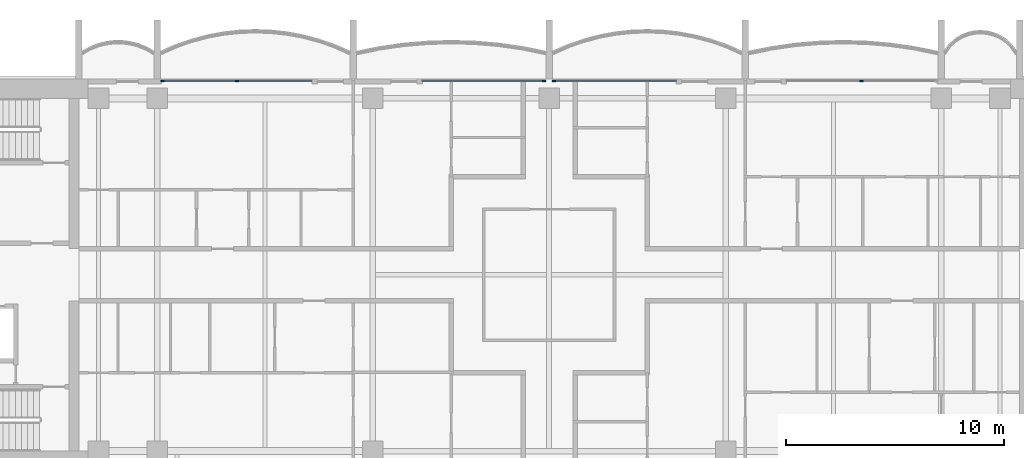
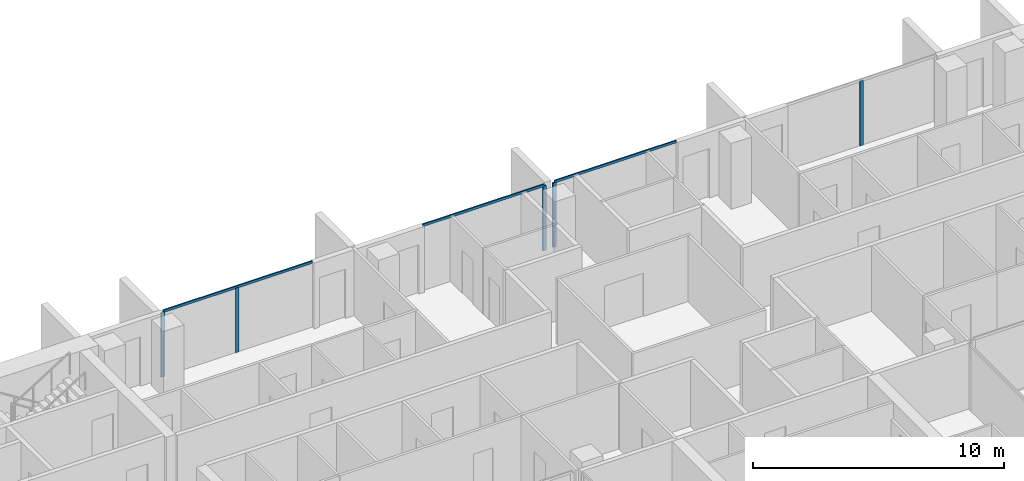
# One storey, part 5 of 18: 8 members, 4 elements without a shape of their own.
"""IFC4 building model written with IfcOpenShell, lengths in metres."""

from ifc_helpers import new_model, si_unit, direction, frame, origin, origin_2d, place, context, subcontext, project, spatial, rectangle, extrude, material, material_profile, profile_set, type_object, element, aggregate, save


model = new_model("IFC4")

# Units and contexts
model_context = context("Model", 3, precision=1e-05, world=origin(), true_north=direction((0.0, 1.0)))
body_context = subcontext(model_context, "Body", "Model", "MODEL_VIEW")
ifc_project = project(units=[si_unit("LENGTHUNIT", "METRE"), si_unit("AREAUNIT", "SQUARE_METRE"), si_unit("VOLUMEUNIT", "CUBIC_METRE"), si_unit("PLANEANGLEUNIT", "RADIAN"), si_unit("MASSUNIT", "GRAM", prefix="KILO")], contexts=[model_context])

# Site, building, storey
site_placement = place(None, origin())
site = spatial("IfcSite", under=ifc_project, at=site_placement, CompositionType="ELEMENT")
building_placement = place(site_placement, origin())
building = spatial("IfcBuilding", under=site, at=building_placement, Name="Perihelion Cross Residences", CompositionType="ELEMENT")
storey_placement = place(building_placement, frame((0.0, 0.0, 219.10009765625)))
storey = spatial("IfcBuildingStorey", under=building, at=storey_placement, Name="L55", CompositionType="ELEMENT", Elevation=219.10009765625)

# Curtain wall, member
ifc_material_1 = material(Name="Bronze anodised aluminium, tinted glazing", Category="aluminium")
curtain_wall_type = type_object("IfcCurtainWallType", Name="CW1", PredefinedType="NOTDEFINED", material=ifc_material_1)
curtain_wall_1_placement = place(storey_placement, origin())
curtain_wall_1 = element("IfcCurtainWall", 1, at=curtain_wall_1_placement, inside=storey, type_object=curtain_wall_type, Name="Curtain wall CW1 L55 east side north bay 2", PredefinedType="NOTDEFINED")
ifc_material_2 = material(Name="Bronze anodised aluminium", Category="aluminium")
ifc_material_profile_1 = material_profile(ifc_material_2, rectangle(XDim=0.06005859375, YDim=0.159912109375, at=origin_2d()), Name="CW1 mullion")
ifc_profile_set_1 = profile_set([ifc_material_profile_1], Name="Bronze anodised aluminium")
member_type_1 = type_object("IfcMemberType", Name="CW1 mullion", PredefinedType="MULLION", material=ifc_profile_set_1)
member_1_placement = place(storey_placement, frame((14.35009765625, 8.89990234375, 0.0), z_axis=(0.0, 0.0, 1.0), x_axis=(0.0, -1.0, 0.0)))
member_1 = element("IfcMember", 2, at=member_1_placement, type_object=member_type_1, Name="CW1 mullion 2", PredefinedType="MULLION", context=body_context, shape_type="SweptSolid", body=[
    extrude(rectangle(XDim=0.06005859375, YDim=0.159912109375, at=origin_2d()), origin(), (0.0, 0.0, 1.0), 3.139892578125),
])
aggregate(curtain_wall_1, [member_1])

curtain_wall_2_placement = place(storey_placement, origin())
curtain_wall_2 = element("IfcCurtainWall", 3, at=curtain_wall_2_placement, inside=storey, type_object=curtain_wall_type, Name="Curtain wall CW1 L55 north side east bay 1", PredefinedType="NOTDEFINED")
member_2_placement = place(storey_placement, frame((0.22998046875, 8.89990234375, 0.0), z_axis=(0.0, 0.0, 1.0), x_axis=(0.0, -1.0, 0.0)))
member_2 = element("IfcMember", 4, at=member_2_placement, type_object=member_type_1, Name="CW1 mullion 2", PredefinedType="MULLION", context=body_context, shape_type="SweptSolid", body=[
    extrude(rectangle(XDim=0.06005859375, YDim=0.159912109375, at=origin_2d()), origin(), (0.0, 0.0, 1.0), 3.139892578125),
])

curtain_wall_3_placement = place(storey_placement, origin())
curtain_wall_3 = element("IfcCurtainWall", 5, at=curtain_wall_3_placement, inside=storey, type_object=curtain_wall_type, Name="Curtain wall CW1 L55 north side east bay 2", PredefinedType="NOTDEFINED")
member_3_placement = place(storey_placement, frame((-0.22998046875, 8.89990234375, 0.0), z_axis=(0.0, 0.0, 1.0), x_axis=(0.0, -1.0, 0.0)))
member_3 = element("IfcMember", 6, at=member_3_placement, type_object=member_type_1, Name="CW1 mullion 1", PredefinedType="MULLION", context=body_context, shape_type="SweptSolid", body=[
    extrude(rectangle(XDim=0.06005859375, YDim=0.159912109375, at=origin_2d()), origin(), (0.0, 0.0, 1.0), 3.139892578125),
])

# Curtain wall, members
curtain_wall_4_placement = place(storey_placement, origin())
curtain_wall_4 = element("IfcCurtainWall", 7, at=curtain_wall_4_placement, inside=storey, type_object=curtain_wall_type, Name="Curtain wall CW1 L55 west side north bay 1", PredefinedType="NOTDEFINED")
member_4_placement = place(storey_placement, frame((-14.35009765625, 8.89990234375, 0.0), z_axis=(0.0, 0.0, 1.0), x_axis=(0.0, -1.0, 0.0)))
member_4 = element("IfcMember", 8, at=member_4_placement, type_object=member_type_1, Name="CW1 mullion 2", PredefinedType="MULLION", context=body_context, shape_type="SweptSolid", body=[
    extrude(rectangle(XDim=0.06005859375, YDim=0.159912109375, at=origin_2d()), origin(), (0.0, 0.0, 1.0), 3.139892578125),
])
member_5_placement = place(storey_placement, frame((-17.77001953125, 8.89990234375, 0.0), z_axis=(0.0, 0.0, 1.0), x_axis=(0.0, -1.0, 0.0)))
member_5 = element("IfcMember", 9, at=member_5_placement, type_object=member_type_1, Name="CW1 mullion 3", PredefinedType="MULLION", context=body_context, shape_type="SweptSolid", body=[
    extrude(rectangle(XDim=0.06005859375, YDim=0.159912109375, at=origin_2d()), origin(), (0.0, 0.0, 1.0), 3.139892578125),
])

# Member
ifc_material_3 = material(Name="Bronze anodised aluminium", Category="aluminium")
ifc_material_profile_2 = material_profile(ifc_material_3, rectangle(XDim=0.06005859375, YDim=0.1201171875, at=origin_2d()), Name="CW1 transom")
ifc_profile_set_2 = profile_set([ifc_material_profile_2], Name="Bronze anodised aluminium")
member_type_2 = type_object("IfcMemberType", Name="CW1 transom", PredefinedType="USERDEFINED", material=ifc_profile_set_2)
member_6_placement = place(storey_placement, frame((5.824951171875, 8.89990234375, 3.169921875), z_axis=(-1.0, 0.0, 0.0), x_axis=(0.0, -1.0, 0.0)))
member_6 = element("IfcMember", 10, at=member_6_placement, type_object=member_type_2, Name="CW1 head transom", ObjectType="TRANSOM", PredefinedType="USERDEFINED", context=body_context, shape_type="SweptSolid", body=[
    extrude(rectangle(XDim=0.06005859375, YDim=0.1201171875, at=origin_2d()), origin(), (0.0, 0.0, 1.0), 5.594970703125),
])

aggregate(curtain_wall_2, [member_2, member_6])

member_7_placement = place(storey_placement, frame((-0.22998046875, 8.89990234375, 3.169921875), z_axis=(-1.0, 0.0, 0.0), x_axis=(0.0, -1.0, 0.0)))
member_7 = element("IfcMember", 11, at=member_7_placement, type_object=member_type_2, Name="CW1 head transom", ObjectType="TRANSOM", PredefinedType="USERDEFINED", context=body_context, shape_type="SweptSolid", body=[
    extrude(rectangle(XDim=0.06005859375, YDim=0.1201171875, at=origin_2d()), origin(), (0.0, 0.0, 1.0), 5.594970703125),
])

aggregate(curtain_wall_3, [member_3, member_7])

member_8_placement = place(storey_placement, frame((-10.89990234375, 8.89990234375, 3.169921875), z_axis=(-1.0, 0.0, 0.0), x_axis=(0.0, -1.0, 0.0)))
member_8 = element("IfcMember", 12, at=member_8_placement, type_object=member_type_2, Name="CW1 head transom", ObjectType="TRANSOM", PredefinedType="USERDEFINED", context=body_context, shape_type="SweptSolid", body=[
    extrude(rectangle(XDim=0.06005859375, YDim=0.1201171875, at=origin_2d()), origin(), (0.0, 0.0, 1.0), 6.8701171875),
])

aggregate(curtain_wall_4, [member_4, member_5, member_8])

save(model, "model.ifc")
